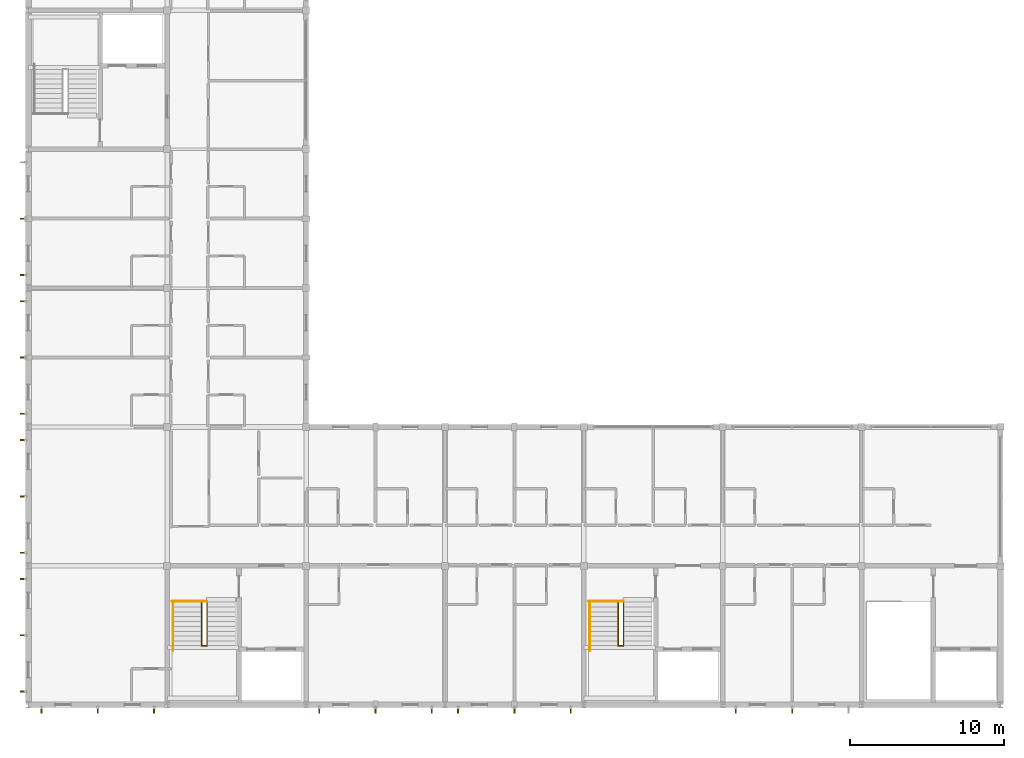
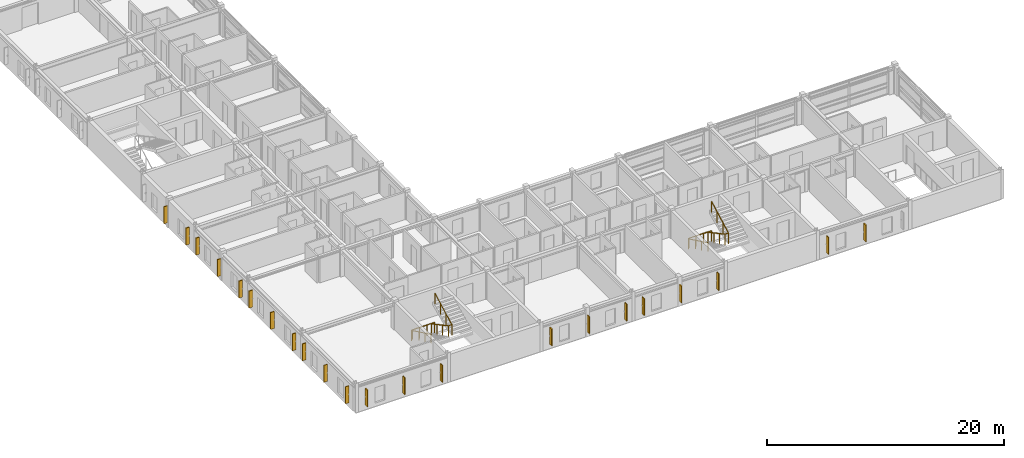
# One storey, part 18 of 20: 22 shading devices, 6 railings.
"""IFC4 building model written with IfcOpenShell, lengths in metres."""

from ifc_helpers import new_model, si_unit, direction, frame, origin, origin_2d, place, context, subcontext, project, spatial, rectangle, circle, extrude, material, type_object, element, save


model = new_model("IFC4")

# Units and contexts
model_context = context("Model", 3, precision=1e-05, world=origin(), true_north=direction((0.0, 1.0)))
body_context = subcontext(model_context, "Body", "Model", "MODEL_VIEW")
ifc_project = project(units=[si_unit("LENGTHUNIT", "METRE"), si_unit("AREAUNIT", "SQUARE_METRE"), si_unit("VOLUMEUNIT", "CUBIC_METRE"), si_unit("PLANEANGLEUNIT", "RADIAN"), si_unit("MASSUNIT", "GRAM", prefix="KILO")], contexts=[model_context])

# Site, building, storey
site_placement = place(None, origin())
site = spatial("IfcSite", under=ifc_project, at=site_placement, CompositionType="ELEMENT")
building_placement = place(site_placement, origin())
building = spatial("IfcBuilding", under=site, at=building_placement, Name="Palais des Congres Ocreval", CompositionType="ELEMENT")
storey_placement = place(building_placement, frame((0.0, 0.0, 20.639892578125)))
storey = spatial("IfcBuildingStorey", under=building, at=storey_placement, Name="L06", CompositionType="ELEMENT", Elevation=20.639892578125)

# Railings
ifc_material_1 = material(Name="Anodized bronze aluminium", Category="aluminium")
railing_type_1 = type_object("IfcRailingType", Name="Bronze Stair and Ramp Handrail 900", PredefinedType="HANDRAIL", material=ifc_material_1)
for number, where, name in (
    (1, (9.3798828125, 6.64990234375, 0.152099609375), "Stair Wall Handrail ST01 L06"),
    (2, (36.3798828125, 6.64990234375, 0.152099609375), "Stair Wall Handrail ST02 L06"),
):
    element("IfcRailing", number, at=place(storey_placement, frame(where)), inside=storey, type_object=railing_type_1, Name=name, PredefinedType="HANDRAIL", context=body_context, shape_type="SweptSolid", body=[
        extrude(circle(Radius=0.02392578125, at=origin_2d()), frame((0.0, 0.0, 0.8759765625), z_axis=(0.0, -0.900621362251, 0.434604604044), x_axis=(1.0, 0.0, 0.0)), (0.0, 0.0, 1.0), 3.49755859375),
        extrude(circle(Radius=0.02099609375, at=origin_2d()), origin(), (0.0, 0.0, 1.0), 0.851806640625),
        extrude(circle(Radius=0.02099609375, at=origin_2d()), frame((0.0, -1.050048828125, 0.506591796875)), (0.0, 0.0, 1.0), 0.851806640625),
        extrude(circle(Radius=0.02099609375, at=origin_2d()), frame((0.0, -2.099853515625, 1.013427734375)), (0.0, 0.0, 1.0), 0.851806640625),
        extrude(circle(Radius=0.02099609375, at=origin_2d()), frame((0.0, -3.14990234375, 1.52001953125)), (0.0, 0.0, 1.0), 0.851806640625),
    ])
ifc_material_2 = material(Name="Steel S355", Category="steel")
railing_type_2 = type_object("IfcRailingType", Name="Stairwell Steel Guardrail 1100", PredefinedType="GUARDRAIL", material=ifc_material_2)
railing_1_placement = place(storey_placement, frame((9.320068359375, 6.699951171875, 0.0)))
element("IfcRailing", 3, at=railing_1_placement, inside=storey, type_object=railing_type_2, Name="Stairwell Landing Edge Guard ST01 L06", PredefinedType="GUARDRAIL", context=body_context, shape_type="SweptSolid", body=[
    extrude(circle(Radius=0.02392578125, at=origin_2d()), frame((0.0, 0.0, 1.076171875), z_axis=(1.0, 0.0, 0.0), x_axis=(0.0, 1.0, 0.0)), (0.0, 0.0, 1.0), 2.25),
    extrude(circle(Radius=0.02099609375, at=origin_2d()), origin(), (0.0, 0.0, 1.0), 1.052001953125),
    extrude(circle(Radius=0.02099609375, at=origin_2d()), frame((0.75, 0.0, 0.0)), (0.0, 0.0, 1.0), 1.052001953125),
    extrude(circle(Radius=0.02099609375, at=origin_2d()), frame((1.5, 0.0, 0.0)), (0.0, 0.0, 1.0), 1.052001953125),
    extrude(circle(Radius=0.02099609375, at=origin_2d()), frame((2.25, 0.0, 0.0)), (0.0, 0.0, 1.0), 1.052001953125),
])
railing_2_placement = place(storey_placement, frame((11.22998046875, 6.64990234375, 0.0)))
element("IfcRailing", 4, at=railing_2_placement, inside=storey, type_object=railing_type_2, Name="Stair Inner Guardrail ST01 L06", PredefinedType="GUARDRAIL", context=body_context, shape_type="SweptSolid", body=[
    extrude(circle(Radius=0.02392578125, at=origin_2d()), frame((0.0, 0.0, 1.076171875), z_axis=(0.0, -0.881312927046, 0.472533093678), x_axis=(1.0, 0.0, 0.0)), (0.0, 0.0, 1.0), 3.216796875),
    extrude(circle(Radius=0.02392578125, at=origin_2d()), frame((0.0, -2.8349609375, 2.59619140625), z_axis=(1.0, 0.0, 0.0), x_axis=(0.0, 1.0, 0.0)), (0.0, 0.0, 1.0), 0.340087890625),
    extrude(circle(Radius=0.02392578125, at=origin_2d()), frame((0.340087890625, -2.8349609375, 2.59619140625), z_axis=(0.0, 0.881312927046, 0.472533093678), x_axis=(-1.0, 0.0, 0.0)), (0.0, 0.0, 1.0), 3.216796875),
    extrude(circle(Radius=0.02099609375, at=origin_2d()), origin(), (0.0, 0.0, 1.0), 1.052001953125),
    extrude(circle(Radius=0.02099609375, at=origin_2d()), frame((0.0, -0.945068359375, 0.506591796875)), (0.0, 0.0, 1.0), 1.052001953125),
    extrude(circle(Radius=0.02099609375, at=origin_2d()), frame((0.0, -1.889892578125, 1.013427734375)), (0.0, 0.0, 1.0), 1.052001953125),
    extrude(circle(Radius=0.02099609375, at=origin_2d()), frame((0.0, -2.8349609375, 1.52001953125)), (0.0, 0.0, 1.0), 1.052001953125),
    extrude(circle(Radius=0.02099609375, at=origin_2d()), frame((0.340087890625, -2.8349609375, 1.52001953125)), (0.0, 0.0, 1.0), 1.052001953125),
    extrude(circle(Radius=0.02099609375, at=origin_2d()), frame((0.340087890625, -1.889892578125, 2.026611328125)), (0.0, 0.0, 1.0), 1.052001953125),
    extrude(circle(Radius=0.02099609375, at=origin_2d()), frame((0.340087890625, -0.945068359375, 2.533447265625)), (0.0, 0.0, 1.0), 1.052001953125),
    extrude(circle(Radius=0.02099609375, at=origin_2d()), frame((0.340087890625, 0.0, 3.0400390625)), (0.0, 0.0, 1.0), 1.052001953125),
])
railing_3_placement = place(storey_placement, frame((36.320068359375, 6.699951171875, 0.0)))
element("IfcRailing", 5, at=railing_3_placement, inside=storey, type_object=railing_type_2, Name="Stairwell Landing Edge Guard ST02 L06", PredefinedType="GUARDRAIL", context=body_context, shape_type="SweptSolid", body=[
    extrude(circle(Radius=0.02392578125, at=origin_2d()), frame((0.0, 0.0, 1.076171875), z_axis=(1.0, 0.0, 0.0), x_axis=(0.0, 1.0, 0.0)), (0.0, 0.0, 1.0), 2.25),
    extrude(circle(Radius=0.02099609375, at=origin_2d()), origin(), (0.0, 0.0, 1.0), 1.052001953125),
    extrude(circle(Radius=0.02099609375, at=origin_2d()), frame((0.75, 0.0, 0.0)), (0.0, 0.0, 1.0), 1.052001953125),
    extrude(circle(Radius=0.02099609375, at=origin_2d()), frame((1.5, 0.0, 0.0)), (0.0, 0.0, 1.0), 1.052001953125),
    extrude(circle(Radius=0.02099609375, at=origin_2d()), frame((2.25, 0.0, 0.0)), (0.0, 0.0, 1.0), 1.052001953125),
])
railing_4_placement = place(storey_placement, frame((38.22998046875, 6.64990234375, 0.0)))
element("IfcRailing", 6, at=railing_4_placement, inside=storey, type_object=railing_type_2, Name="Stair Inner Guardrail ST02 L06", PredefinedType="GUARDRAIL", context=body_context, shape_type="SweptSolid", body=[
    extrude(circle(Radius=0.02392578125, at=origin_2d()), frame((0.0, 0.0, 1.076171875), z_axis=(0.0, -0.881312927046, 0.472533093678), x_axis=(1.0, 0.0, 0.0)), (0.0, 0.0, 1.0), 3.216796875),
    extrude(circle(Radius=0.02392578125, at=origin_2d()), frame((0.0, -2.8349609375, 2.59619140625), z_axis=(1.0, 0.0, 0.0), x_axis=(0.0, 1.0, 0.0)), (0.0, 0.0, 1.0), 0.340087890625),
    extrude(circle(Radius=0.02392578125, at=origin_2d()), frame((0.340087890625, -2.8349609375, 2.59619140625), z_axis=(0.0, 0.881312927046, 0.472533093678), x_axis=(-1.0, 0.0, 0.0)), (0.0, 0.0, 1.0), 3.216796875),
    extrude(circle(Radius=0.02099609375, at=origin_2d()), origin(), (0.0, 0.0, 1.0), 1.052001953125),
    extrude(circle(Radius=0.02099609375, at=origin_2d()), frame((0.0, -0.945068359375, 0.506591796875)), (0.0, 0.0, 1.0), 1.052001953125),
    extrude(circle(Radius=0.02099609375, at=origin_2d()), frame((0.0, -1.889892578125, 1.013427734375)), (0.0, 0.0, 1.0), 1.052001953125),
    extrude(circle(Radius=0.02099609375, at=origin_2d()), frame((0.0, -2.8349609375, 1.52001953125)), (0.0, 0.0, 1.0), 1.052001953125),
    extrude(circle(Radius=0.02099609375, at=origin_2d()), frame((0.340087890625, -2.8349609375, 1.52001953125)), (0.0, 0.0, 1.0), 1.052001953125),
    extrude(circle(Radius=0.02099609375, at=origin_2d()), frame((0.340087890625, -1.889892578125, 2.026611328125)), (0.0, 0.0, 1.0), 1.052001953125),
    extrude(circle(Radius=0.02099609375, at=origin_2d()), frame((0.340087890625, -0.945068359375, 2.533447265625)), (0.0, 0.0, 1.0), 1.052001953125),
    extrude(circle(Radius=0.02099609375, at=origin_2d()), frame((0.340087890625, 0.0, 3.0400390625)), (0.0, 0.0, 1.0), 1.052001953125),
])

# Shading devices
ifc_material_3 = material(Name="Terracotta ceramic", Category="masonry")
shading_device_type = type_object("IfcShadingDeviceType", Name="Terracotta Ceramic Brise-Soleil Fin 360", PredefinedType="JALOUSIE", material=ifc_material_3)
for number, where, z_axis, x_axis, name in (
    (7, (49.5, -0.360107421875, 0.47509765625), (0.0, 0.0, 1.0), (0.0, -1.0, 0.0), "Ceramic Celosia Sun-Fin SD01"),
    (8, (45.85009765625, -0.360107421875, 0.47509765625), (0.0, 0.0, 1.0), (0.0, -1.0, 0.0), "Ceramic Celosia Sun-Fin SD01"),
    (9, (35.14990234375, -0.360107421875, 0.47509765625), (0.0, 0.0, 1.0), (0.0, -1.0, 0.0), "Ceramic Celosia Sun-Fin SD01"),
    (10, (31.5, -0.360107421875, 0.47509765625), (0.0, 0.0, 1.0), (0.0, -1.0, 0.0), "Ceramic Celosia Sun-Fin SD01"),
    (11, (27.85009765625, -0.360107421875, 0.47509765625), (0.0, 0.0, 1.0), (0.0, -1.0, 0.0), "Ceramic Celosia Sun-Fin SD01"),
    (12, (26.14990234375, -0.360107421875, 0.47509765625), (0.0, 0.0, 1.0), (0.0, -1.0, 0.0), "Ceramic Celosia Sun-Fin SD01"),
    (13, (22.5, -0.360107421875, 0.47509765625), (0.0, 0.0, 1.0), (0.0, -1.0, 0.0), "Ceramic Celosia Sun-Fin SD01"),
    (14, (18.85009765625, -0.360107421875, 0.47509765625), (0.0, 0.0, 1.0), (0.0, -1.0, 0.0), "Ceramic Celosia Sun-Fin SD01"),
    (15, (8.14990234375, -0.360107421875, 0.47509765625), (0.0, 0.0, 1.0), (0.0, -1.0, 0.0), "Ceramic Celosia Sun-Fin SD01"),
    (16, (4.5, -0.360107421875, 0.47509765625), (0.0, 0.0, 1.0), (0.0, -1.0, 0.0), "Ceramic Celosia Sun-Fin SD01"),
    (17, (0.85009765625, -0.360107421875, 0.47509765625), (0.0, 0.0, 1.0), (0.0, -1.0, 0.0), "Ceramic Celosia Sun-Fin SD01"),
    (18, (-0.360107421875, 0.85009765625, 0.47509765625), (0.0, 0.0, 1.0), (-1.0, 0.0, 0.0), "Ceramic Celosia Sun-Fin SD01"),
    (19, (-0.360107421875, 4.5, 0.47509765625), (0.0, 0.0, 1.0), (-1.0, 0.0, 0.0), "Ceramic Celosia Sun-Fin SD01"),
    (20, (-0.360107421875, 8.14990234375, 0.47509765625), (0.0, 0.0, 1.0), (-1.0, 0.0, 0.0), "Ceramic Celosia Sun-Fin SD01"),
    (21, (-0.360107421875, 9.85009765625, 0.47509765625), (0.0, 0.0, 1.0), (-1.0, 0.0, 0.0), "Ceramic Celosia Sun-Fin SD01"),
    (22, (-0.360107421875, 13.5, 0.47509765625), (0.0, 0.0, 1.0), (-1.0, 0.0, 0.0), "Ceramic Celosia Sun-Fin SD01"),
    (23, (-0.360107421875, 17.14990234375, 0.47509765625), (0.0, 0.0, 1.0), (-1.0, 0.0, 0.0), "Ceramic Celosia Sun-Fin SD01"),
    (24, (-0.360107421875, 18.85009765625, 0.47509765625), (0.0, 0.0, 1.0), (-1.0, 0.0, 0.0), "Ceramic Celosia Sun-Fin SD01"),
    (25, (-0.360107421875, 22.5, 0.47509765625), (0.0, 0.0, 1.0), (-1.0, 0.0, 0.0), "Ceramic Celosia Sun-Fin SD01"),
    (26, (-0.360107421875, 26.14990234375, 0.47509765625), (0.0, 0.0, 1.0), (-1.0, 0.0, 0.0), "Ceramic Celosia Sun-Fin SD01"),
    (27, (-0.360107421875, 27.85009765625, 0.47509765625), (0.0, 0.0, 1.0), (-1.0, 0.0, 0.0), "Ceramic Celosia Sun-Fin SD01"),
    (28, (-0.360107421875, 31.5, 0.47509765625), (0.0, 0.0, 1.0), (-1.0, 0.0, 0.0), "Ceramic Celosia Sun-Fin SD01"),
):
    element("IfcShadingDevice", number, at=place(storey_placement, frame(where, z_axis=z_axis, x_axis=x_axis)), inside=storey, type_object=shading_device_type, Name=name, PredefinedType="JALOUSIE", context=body_context, shape_type="SweptSolid", body=[
        extrude(rectangle(XDim=0.360107421875, YDim=0.080078125, at=origin_2d()), origin(), (0.0, 0.0, 1.0), 1.75),
    ])

save(model, "model.ifc")
